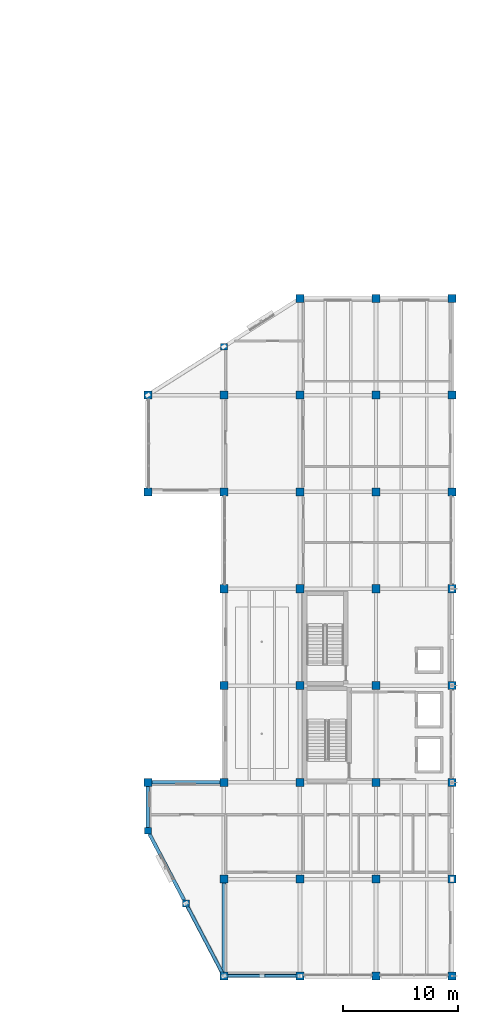
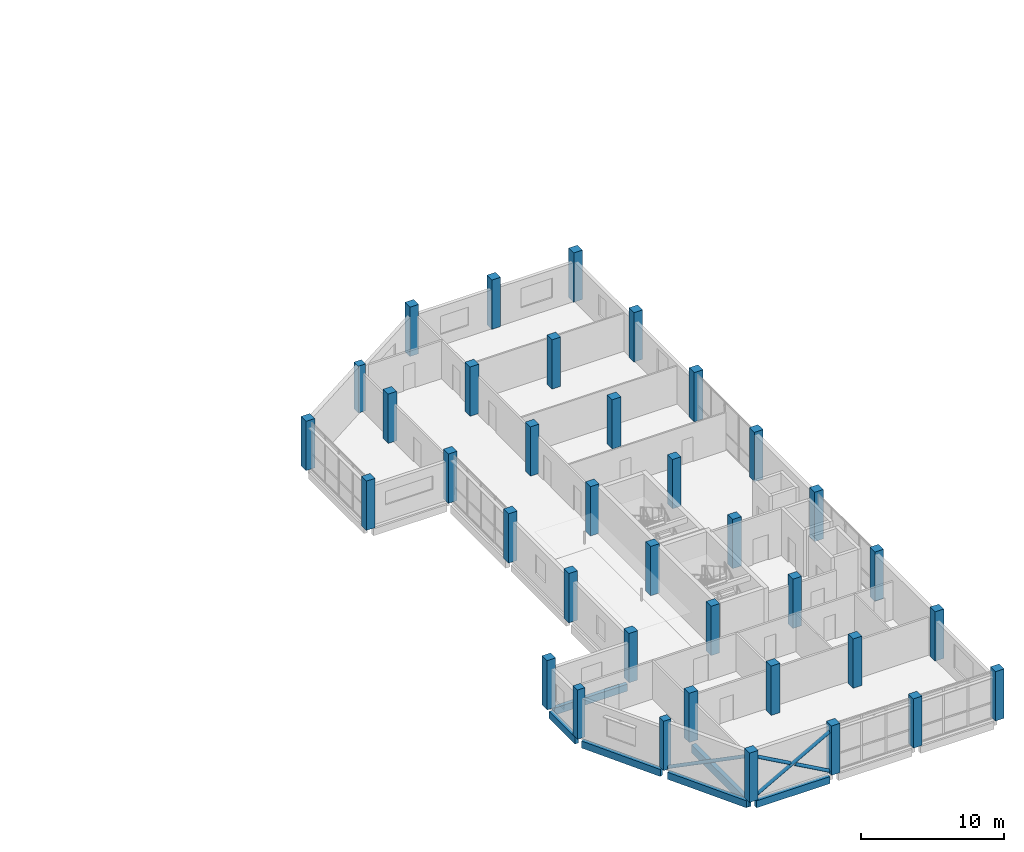
# One storey, part 1 of 19: 37 columns, 6 beams, 4 members.
"""IFC4 building model written with IfcOpenShell, lengths in metres."""

from ifc_helpers import new_model, si_unit, direction, frame, origin, origin_2d, place, context, subcontext, project, spatial, rectangle, hollow_circle, extrude, material, material_profile, profile_set, type_object, element, save


model = new_model("IFC4")

# Units and contexts
model_context = context("Model", 3, precision=1e-05, world=origin(), true_north=direction((0.0, 1.0)))
body_context = subcontext(model_context, "Body", "Model", "MODEL_VIEW")
ifc_project = project(units=[si_unit("LENGTHUNIT", "METRE"), si_unit("AREAUNIT", "SQUARE_METRE"), si_unit("VOLUMEUNIT", "CUBIC_METRE"), si_unit("PLANEANGLEUNIT", "RADIAN"), si_unit("MASSUNIT", "GRAM", prefix="KILO")], contexts=[model_context])

# Site, building, storey
site_placement = place(None, origin())
site = spatial("IfcSite", under=ifc_project, at=site_placement, CompositionType="ELEMENT")
building_placement = place(site_placement, origin())
building = spatial("IfcBuilding", under=site, at=building_placement, Name="Qaldarim Faculty of Natural and Applied Sciences", CompositionType="ELEMENT")
storey_placement = place(building_placement, frame((0.0, 0.0, 27.0)))
storey = spatial("IfcBuildingStorey", under=building, at=storey_placement, Name="L06", CompositionType="ELEMENT", Elevation=27.0)

# Columns
ifc_material_1 = material(Name="Concrete C50/60", Category="concrete")
ifc_material_profile_1 = material_profile(ifc_material_1, rectangle(XDim=0.60009765625, YDim=0.60009765625, at=origin_2d()), Name="RC-C600x600")
ifc_profile_set_1 = profile_set([ifc_material_profile_1], Name="Concrete C50/60")
column_type_1 = type_object("IfcColumnType", Name="Column-RC600x600", PredefinedType="COLUMN", material=ifc_profile_set_1)
for number, where, z_axis, x_axis, name in (
    (1, (151.800048828125, 12.60009765625, 0.0), (0.0, 0.0, 1.0), (1.0, 0.0, 0.0), "Special structural column V5-SW1 L06"),
    (2, (155.10009765625, 6.300048828125, 0.0), (0.0, 0.0, 1.0), (1.0, 0.0, 0.0), "Special structural column V5-SW2 L06"),
):
    element("IfcColumn", number, at=place(storey_placement, frame(where, z_axis=z_axis, x_axis=x_axis)), inside=storey, type_object=column_type_1, Name=name, PredefinedType="COLUMN", context=body_context, shape_type="SweptSolid", body=[
        extrude(rectangle(XDim=0.60009765625, YDim=0.60009765625, at=origin_2d()), origin(), (0.0, 0.0, 1.0), 4.199951171875),
    ])
column_placement = place(storey_placement, frame((158.39990234375, 54.60009765625, 0.0), z_axis=(0.0, 0.0, 1.0), x_axis=(1.0, 0.0, 0.0)))
element("IfcColumn", 3, at=column_placement, inside=storey, type_object=column_type_1, Name="Special structural column V5-NW6 L06", PredefinedType="COLUMN", context=body_context, shape_type="SweptSolid", body=[
    extrude(rectangle(XDim=0.60009765625, YDim=0.60009765625, at=origin_2d()), origin(), (0.0, 0.0, 1.0), 3.97998046875),
])
ifc_material_profile_2 = material_profile(ifc_material_1, rectangle(XDim=0.699951171875, YDim=0.699951171875, at=origin_2d()), Name="RC-C700x700")
ifc_profile_set_2 = profile_set([ifc_material_profile_2], Name="Concrete C50/60")
column_type_2 = type_object("IfcColumnType", Name="Column-RC700x700", PredefinedType="COLUMN", material=ifc_profile_set_2)
for number, where, z_axis, x_axis, name in (
    (4, (151.800048828125, 16.800048828125, 0.0), (0.0, 0.0, 1.0), (1.0, 0.0, 0.0), "Column X24/Y03 L06"),
    (5, (151.800048828125, 42.0, 0.0), (0.0, 0.0, 1.0), (1.0, 0.0, 0.0), "Column X24/Y06 L06"),
    (6, (151.800048828125, 50.39990234375, 0.0), (0.0, 0.0, 1.0), (1.0, 0.0, 0.0), "Column X24/Y07 L06"),
    (7, (158.39990234375, 0.0, 0.0), (0.0, 0.0, 1.0), (1.0, 0.0, 0.0), "Column X25/Y01 L06"),
    (8, (158.39990234375, 8.39990234375, 0.0), (0.0, 0.0, 1.0), (1.0, 0.0, 0.0), "Column X25/Y02 L06"),
    (9, (158.39990234375, 16.800048828125, 0.0), (0.0, 0.0, 1.0), (1.0, 0.0, 0.0), "Column X25/Y03 L06"),
    (10, (158.39990234375, 25.199951171875, 0.0), (0.0, 0.0, 1.0), (1.0, 0.0, 0.0), "Column X25/Y04 L06"),
    (11, (158.39990234375, 33.60009765625, 0.0), (0.0, 0.0, 1.0), (1.0, 0.0, 0.0), "Column X25/Y05 L06"),
    (12, (158.39990234375, 42.0, 0.0), (0.0, 0.0, 1.0), (1.0, 0.0, 0.0), "Column X25/Y06 L06"),
    (13, (158.39990234375, 50.39990234375, 0.0), (0.0, 0.0, 1.0), (1.0, 0.0, 0.0), "Column X25/Y07 L06"),
    (14, (165.0, 0.0, 0.0), (0.0, 0.0, 1.0), (1.0, 0.0, 0.0), "Column X26/Y01 L06"),
    (15, (165.0, 8.39990234375, 0.0), (0.0, 0.0, 1.0), (1.0, 0.0, 0.0), "Column X26/Y02 L06"),
    (16, (165.0, 16.800048828125, 0.0), (0.0, 0.0, 1.0), (1.0, 0.0, 0.0), "Column X26/Y03 L06"),
    (17, (165.0, 25.199951171875, 0.0), (0.0, 0.0, 1.0), (1.0, 0.0, 0.0), "Column X26/Y04 L06"),
    (18, (165.0, 33.60009765625, 0.0), (0.0, 0.0, 1.0), (1.0, 0.0, 0.0), "Column X26/Y05 L06"),
    (19, (165.0, 42.0, 0.0), (0.0, 0.0, 1.0), (1.0, 0.0, 0.0), "Column X26/Y06 L06"),
    (20, (165.0, 50.39990234375, 0.0), (0.0, 0.0, 1.0), (1.0, 0.0, 0.0), "Column X26/Y07 L06"),
    (21, (165.0, 58.800048828125, 0.0), (0.0, 0.0, 1.0), (1.0, 0.0, 0.0), "Column X26/Y08 L06"),
    (22, (171.60009765625, 0.0, 0.0), (0.0, 0.0, 1.0), (1.0, 0.0, 0.0), "Column X27/Y01 L06"),
    (23, (171.60009765625, 8.39990234375, 0.0), (0.0, 0.0, 1.0), (1.0, 0.0, 0.0), "Column X27/Y02 L06"),
    (24, (171.60009765625, 16.800048828125, 0.0), (0.0, 0.0, 1.0), (1.0, 0.0, 0.0), "Column X27/Y03 L06"),
    (25, (171.60009765625, 25.199951171875, 0.0), (0.0, 0.0, 1.0), (1.0, 0.0, 0.0), "Column X27/Y04 L06"),
    (26, (171.60009765625, 33.60009765625, 0.0), (0.0, 0.0, 1.0), (1.0, 0.0, 0.0), "Column X27/Y05 L06"),
    (27, (171.60009765625, 42.0, 0.0), (0.0, 0.0, 1.0), (1.0, 0.0, 0.0), "Column X27/Y06 L06"),
    (28, (171.60009765625, 50.39990234375, 0.0), (0.0, 0.0, 1.0), (1.0, 0.0, 0.0), "Column X27/Y07 L06"),
    (29, (171.60009765625, 58.800048828125, 0.0), (0.0, 0.0, 1.0), (1.0, 0.0, 0.0), "Column X27/Y08 L06"),
    (30, (178.199951171875, 0.0, 0.0), (0.0, 0.0, 1.0), (1.0, 0.0, 0.0), "Column X28/Y01 L06"),
    (31, (178.199951171875, 8.39990234375, 0.0), (0.0, 0.0, 1.0), (1.0, 0.0, 0.0), "Column X28/Y02 L06"),
    (32, (178.199951171875, 16.800048828125, 0.0), (0.0, 0.0, 1.0), (1.0, 0.0, 0.0), "Column X28/Y03 L06"),
    (33, (178.199951171875, 25.199951171875, 0.0), (0.0, 0.0, 1.0), (1.0, 0.0, 0.0), "Column X28/Y04 L06"),
    (34, (178.199951171875, 33.60009765625, 0.0), (0.0, 0.0, 1.0), (1.0, 0.0, 0.0), "Column X28/Y05 L06"),
    (35, (178.199951171875, 42.0, 0.0), (0.0, 0.0, 1.0), (1.0, 0.0, 0.0), "Column X28/Y06 L06"),
    (36, (178.199951171875, 50.39990234375, 0.0), (0.0, 0.0, 1.0), (1.0, 0.0, 0.0), "Column X28/Y07 L06"),
    (37, (178.199951171875, 58.800048828125, 0.0), (0.0, 0.0, 1.0), (1.0, 0.0, 0.0), "Column X28/Y08 L06"),
):
    element("IfcColumn", number, at=place(storey_placement, frame(where, z_axis=z_axis, x_axis=x_axis)), inside=storey, type_object=column_type_2, Name=name, PredefinedType="COLUMN", context=body_context, shape_type="SweptSolid", body=[
        extrude(rectangle(XDim=0.699951171875, YDim=0.699951171875, at=origin_2d()), origin(), (0.0, 0.0, 1.0), 4.199951171875),
    ])

# Members
ifc_material_2 = material(Name="Structural steel S355", Category="steel")
ifc_material_profile_3 = material_profile(ifc_material_2, hollow_circle(Radius=0.136474609375, WallThickness=0.01611328125, at=origin_2d()), Name="CHS 273.0x16.0")
ifc_profile_set_3 = profile_set([ifc_material_profile_3], Name="Structural steel S355")
member_type = type_object("IfcMemberType", Name="PortalBrace-CHS273x16", PredefinedType="BRACE", material=ifc_profile_set_3)
member_1_placement = place(storey_placement, frame((158.39990234375, 0.0, 0.0), z_axis=(0.873414086048, 0.0, 0.48697826881), x_axis=(0.0, 1.0, 0.0)))
element("IfcMember", 38, at=member_1_placement, inside=storey, type_object=member_type, Name="South diagrid L06 primary brace L", PredefinedType="BRACE", context=body_context, shape_type="SweptSolid", body=[
    extrude(hollow_circle(Radius=0.136474609375, WallThickness=0.01611328125, at=origin_2d()), origin(), (0.0, 0.0, 1.0), 7.556640625),
])
for number, where, z_axis, x_axis, name in (
    (39, (165.0, 0.0, 0.0), (-0.873289278282, 0.0, 0.487202048885), (0.0, -1.0, 0.0), "South diagrid L06 split secondary lower brace R1"),
    (40, (161.510009765625, 0.0, 1.945068359375), (-0.873318444574, 0.0, 0.487149765849), (0.0, -1.0, 0.0), "South diagrid L06 split secondary upper brace R2"),
):
    element("IfcMember", number, at=place(storey_placement, frame(where, z_axis=z_axis, x_axis=x_axis)), inside=storey, type_object=member_type, Name=name, PredefinedType="BRACE", context=body_context, shape_type="SweptSolid", body=[
        extrude(hollow_circle(Radius=0.136474609375, WallThickness=0.01611328125, at=origin_2d()), origin(), (0.0, 0.0, 1.0), 3.561279296875),
    ])
member_2_placement = place(storey_placement, frame((155.10009765625, 6.300048828125, 0.0), z_axis=(0.412085502762, -0.786761349421, 0.459556435567), x_axis=(0.8858443012, 0.463982622554, 0.0)))
element("IfcMember", 41, at=member_2_placement, inside=storey, type_object=member_type, Name="Oblique SW chamfer exoskeleton brace L06 2", PredefinedType="BRACE", context=body_context, shape_type="SweptSolid", body=[
    extrude(hollow_circle(Radius=0.136474609375, WallThickness=0.01611328125, at=origin_2d()), origin(), (0.0, 0.0, 1.0), 8.007568359375),
])

# Beams
ifc_material_3 = material(Name="Concrete C40/50", Category="concrete")
ifc_material_profile_4 = material_profile(ifc_material_3, rectangle(XDim=0.35009765625, YDim=0.699951171875, at=origin_2d()), Name="RC-B350x700")
ifc_profile_set_4 = profile_set([ifc_material_profile_4], Name="Concrete C40/50")
beam_type_1 = type_object("IfcBeamType", Name="PrimaryGirder-RC350x700", PredefinedType="BEAM", material=ifc_profile_set_4)
beam_1_placement = place(storey_placement, frame((158.39990234375, 0.35009765625, -0.570068359375), z_axis=(0.0, 1.0, 0.0), x_axis=(-1.0, 0.0, 0.0)))
element("IfcBeam", 42, at=beam_1_placement, inside=storey, type_object=beam_type_1, Name="Beam RC-B350x700 L05 X25/Y01-Y02", PredefinedType="BEAM", context=body_context, shape_type="SweptSolid", body=[
    extrude(rectangle(XDim=0.35009765625, YDim=0.699951171875, at=origin_2d()), origin(), (0.0, 0.0, 1.0), 7.699951171875),
])
ifc_material_4 = material(Name="Precast concrete C40/50", Category="concrete")
ifc_material_profile_5 = material_profile(ifc_material_4, rectangle(XDim=0.300048828125, YDim=0.60009765625, at=origin_2d()), Name="RC-SP300x600")
ifc_profile_set_5 = profile_set([ifc_material_profile_5], Name="Precast concrete C40/50")
beam_type_2 = type_object("IfcBeamType", Name="SpandrelBeam-RC300x600", PredefinedType="SPANDREL", material=ifc_profile_set_5)
beam_2_placement = place(storey_placement, frame((158.75, 0.0, -0.52001953125), z_axis=(1.0, 0.0, 0.0), x_axis=(0.0, 1.0, 0.0)))
element("IfcBeam", 43, at=beam_2_placement, inside=storey, type_object=beam_type_2, Name="Beam RC-SP300x600 L05 X25-X26/Y01", PredefinedType="SPANDREL", context=body_context, shape_type="SweptSolid", body=[
    extrude(rectangle(XDim=0.300048828125, YDim=0.60009765625, at=origin_2d()), origin(), (0.0, 0.0, 1.0), 5.89990234375),
])
beam_3_placement = place(storey_placement, frame((152.14990234375, 16.800048828125, -0.52001953125), z_axis=(1.0, 0.0, 0.0), x_axis=(0.0, 1.0, 0.0)))
element("IfcBeam", 44, at=beam_3_placement, inside=storey, type_object=beam_type_2, Name="Beam RC-SP300x600 L05 X24-X25/Y03", PredefinedType="SPANDREL", context=body_context, shape_type="SweptSolid", body=[
    extrude(rectangle(XDim=0.300048828125, YDim=0.60009765625, at=origin_2d()), origin(), (0.0, 0.0, 1.0), 5.900146484375),
])
beam_4_placement = place(storey_placement, frame((151.800048828125, 16.5, -0.52001953125), z_axis=(0.0, -1.0, 0.0), x_axis=(1.0, 0.0, 0.0)))
element("IfcBeam", 45, at=beam_4_placement, inside=storey, type_object=beam_type_2, Name="Oblique SW chamfer spandrel L05 1", PredefinedType="SPANDREL", context=body_context, shape_type="SweptSolid", body=[
    extrude(rectangle(XDim=0.300048828125, YDim=0.60009765625, at=origin_2d()), origin(), (0.0, 0.0, 1.0), 3.60009765625),
])
for number, where, z_axis, x_axis, name in (
    (46, (151.93994140625, 12.330078125, -0.52001953125), (0.464353423794, -0.885649986061, 0.0), (0.885649986061, 0.464353423794, 0.0), "Oblique SW chamfer spandrel L05 2"),
    (47, (155.239990234375, 6.030029296875, -0.52001953125), (0.464353423794, -0.885649986061, 0.0), (0.885649986061, 0.464353423794, 0.0), "Oblique SW chamfer spandrel L05 3"),
):
    element("IfcBeam", number, at=place(storey_placement, frame(where, z_axis=z_axis, x_axis=x_axis)), inside=storey, type_object=beam_type_2, Name=name, PredefinedType="SPANDREL", context=body_context, shape_type="SweptSolid", body=[
        extrude(rectangle(XDim=0.300048828125, YDim=0.60009765625, at=origin_2d()), origin(), (0.0, 0.0, 1.0), 6.503662109375),
    ])

save(model, "model.ifc")
